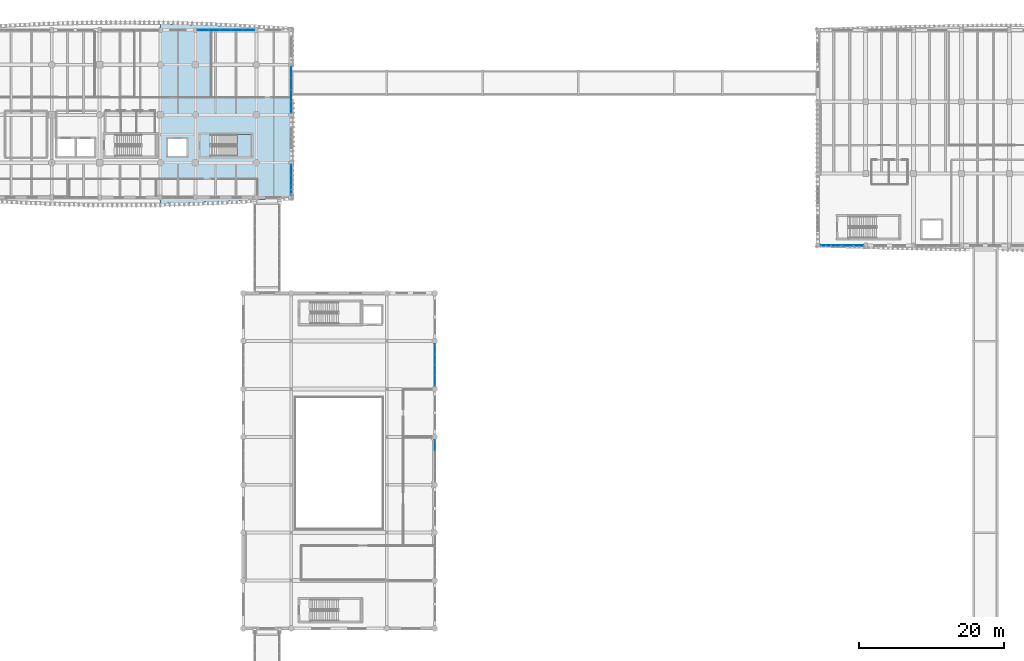
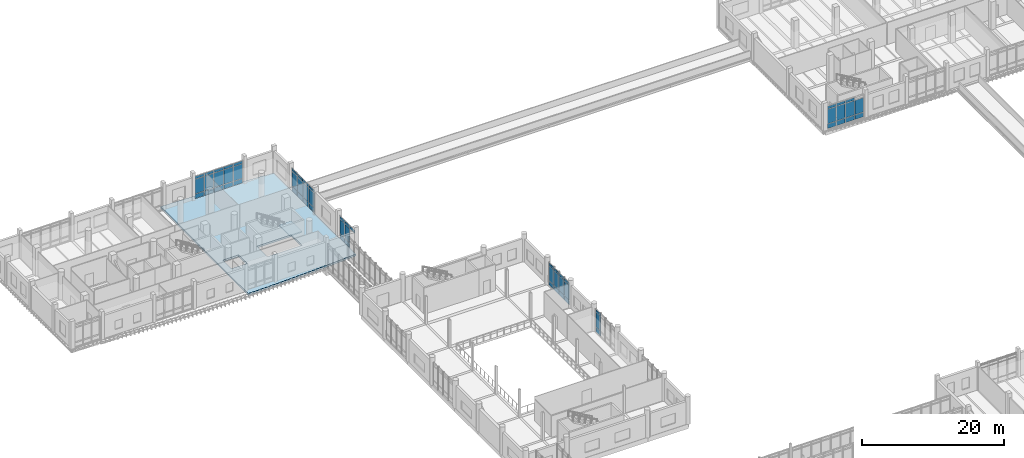
# One storey, part 53 of 101: 60 plates, 2 slabs, 7 elements without a shape of their own.
"""IFC4 building model written with IfcOpenShell, lengths in metres."""

from ifc_helpers import new_model, si_unit, direction, frame, origin, origin_2d, place, context, subcontext, project, spatial, polyline, rectangle, outline, extrude, material, layer, layer_set, type_object, element, aggregate, save


model = new_model("IFC4")

# Units and contexts
model_context = context("Model", 3, precision=1e-05, world=origin(), true_north=direction((0.0, 1.0)))
body_context = subcontext(model_context, "Body", "Model", "MODEL_VIEW")
ifc_project = project(units=[si_unit("LENGTHUNIT", "METRE"), si_unit("AREAUNIT", "SQUARE_METRE"), si_unit("VOLUMEUNIT", "CUBIC_METRE"), si_unit("PLANEANGLEUNIT", "RADIAN"), si_unit("MASSUNIT", "GRAM", prefix="KILO")], contexts=[model_context])

# Site, building, storey
site_placement = place(None, origin())
site = spatial("IfcSite", under=ifc_project, at=site_placement, CompositionType="ELEMENT")
building_placement = place(site_placement, origin())
building = spatial("IfcBuilding", under=site, at=building_placement, Name="Dornvale Research Institute", CompositionType="ELEMENT")
storey_placement = place(building_placement, frame((0.0, 0.0, 10.199951171875)))
storey = spatial("IfcBuildingStorey", under=building, at=storey_placement, Name="L02", CompositionType="ELEMENT", Elevation=10.199951171875)

# Curtain wall, plates
ifc_material_1 = material(Name="Low-E Argon Double Insulating Glazing Unit", Category="glass")
curtain_wall_type_1 = type_object("IfcCurtainWallType", Name="UnitisedCurtainWall_V2_5810x3950", PredefinedType="USERDEFINED", material=ifc_material_1)
curtain_wall_1_placement = place(storey_placement, origin())
curtain_wall_1 = element("IfcCurtainWall", 1, at=curtain_wall_1_placement, inside=storey, type_object=curtain_wall_type_1, Name="L02 V2 unitised curtain wall CW-02 #12", ObjectType="UNITISED CURTAIN WALL", PredefinedType="USERDEFINED")
ifc_material_2 = material(Name="Insulated Ceramic-Frit Spandrel Glass Panel", Category="glass")
ifc_layer_1 = layer(ifc_material_2, 0.0419921875)
ifc_layer_set_1 = layer_set([ifc_layer_1], Name="Insulated Ceramic-Frit Spandrel Glass Panel")
plate_type_1 = type_object("IfcPlateType", Name="CurtainPanel_Spandrel_42", PredefinedType="CURTAIN_PANEL", material=ifc_layer_set_1)
plate_1_placement = place(storey_placement, frame((66.0, 78.0625, 0.065185546875), z_axis=(0.0, 0.0, 1.0), x_axis=(0.0, -1.0, 0.0)))
plate_1 = element("IfcPlate", 2, at=plate_1_placement, type_object=plate_type_1, Name="CW-02 panel 1.1", PredefinedType="CURTAIN_PANEL", context=body_context, shape_type="SweptSolid", body=[
    extrude(rectangle(XDim=1.35498046875, YDim=0.0419921875, at=origin_2d()), origin(), (0.0, 0.0, 1.0), 0.75244140625),
])
plate_2_placement = place(storey_placement, frame((66.0, 76.626220703125, 0.065185546875), z_axis=(0.0, 0.0, 1.0), x_axis=(0.0, -1.0, 0.0)))
plate_2 = element("IfcPlate", 3, at=plate_2_placement, type_object=plate_type_1, Name="CW-02 panel 2.1", PredefinedType="CURTAIN_PANEL", context=body_context, shape_type="SweptSolid", body=[
    extrude(rectangle(XDim=1.387451171875, YDim=0.0419921875, at=origin_2d()), origin(), (0.0, 0.0, 1.0), 0.75244140625),
])
plate_3_placement = place(storey_placement, frame((66.0, 75.173828125, 0.065185546875), z_axis=(0.0, 0.0, 1.0), x_axis=(0.0, -1.0, 0.0)))
plate_3 = element("IfcPlate", 4, at=plate_3_placement, type_object=plate_type_1, Name="CW-02 panel 3.1", PredefinedType="CURTAIN_PANEL", context=body_context, shape_type="SweptSolid", body=[
    extrude(rectangle(XDim=1.387451171875, YDim=0.0419921875, at=origin_2d()), origin(), (0.0, 0.0, 1.0), 0.75244140625),
])
plate_4_placement = place(storey_placement, frame((66.0, 73.737548828125, 0.065185546875), z_axis=(0.0, 0.0, 1.0), x_axis=(0.0, -1.0, 0.0)))
plate_4 = element("IfcPlate", 5, at=plate_4_placement, type_object=plate_type_1, Name="CW-02 panel 4.1", PredefinedType="CURTAIN_PANEL", context=body_context, shape_type="SweptSolid", body=[
    extrude(rectangle(XDim=1.35498046875, YDim=0.0419921875, at=origin_2d()), origin(), (0.0, 0.0, 1.0), 0.75244140625),
])

# Curtain wall, plate
curtain_wall_2_placement = place(storey_placement, origin())
curtain_wall_2 = element("IfcCurtainWall", 6, at=curtain_wall_2_placement, inside=storey, type_object=curtain_wall_type_1, Name="L02 V2 unitised curtain wall CW-02 #13", ObjectType="UNITISED CURTAIN WALL", PredefinedType="USERDEFINED")
plate_5_placement = place(storey_placement, frame((66.0, 64.862548828125, 0.065185546875), z_axis=(0.0, 0.0, 1.0), x_axis=(0.0, -1.0, 0.0)))
plate_5 = element("IfcPlate", 7, at=plate_5_placement, type_object=plate_type_1, Name="CW-02 panel 1.1", PredefinedType="CURTAIN_PANEL", context=body_context, shape_type="SweptSolid", body=[
    extrude(rectangle(XDim=1.35498046875, YDim=0.0419921875, at=origin_2d()), origin(), (0.0, 0.0, 1.0), 0.75244140625),
])

# Curtain wall, plates
ifc_material_3 = material(Name="Low-E Argon Double Insulating Glazing Unit", Category="glass")
curtain_wall_type_2 = type_object("IfcCurtainWallType", Name="UnitisedCurtainWall_V4_6000x3950", PredefinedType="USERDEFINED", material=ifc_material_3)
curtain_wall_3_placement = place(storey_placement, origin())
curtain_wall_3 = element("IfcCurtainWall", 8, at=curtain_wall_3_placement, inside=storey, type_object=curtain_wall_type_2, Name="L02 V4 unitised curtain wall CW-14 #90", ObjectType="UNITISED CURTAIN WALL", PredefinedType="USERDEFINED")
plate_6_placement = place(storey_placement, frame((124.3837890625, 92.39990234375, 0.065185546875), z_axis=(0.0, 0.0, 1.0), x_axis=(-1.0, 0.0, 0.0)))
plate_6 = element("IfcPlate", 9, at=plate_6_placement, type_object=plate_type_1, Name="CW-14 panel 1.1", PredefinedType="CURTAIN_PANEL", context=body_context, shape_type="SweptSolid", body=[
    extrude(rectangle(XDim=1.402587890625, YDim=0.0419921875, at=origin_2d()), origin(), (0.0, 0.0, 1.0), 0.75244140625),
])
plate_7_placement = place(storey_placement, frame((122.89990234375, 92.39990234375, 0.065185546875), z_axis=(0.0, 0.0, 1.0), x_axis=(-1.0, 0.0, 0.0)))
plate_7 = element("IfcPlate", 10, at=plate_7_placement, type_object=plate_type_1, Name="CW-14 panel 2.1", PredefinedType="CURTAIN_PANEL", context=body_context, shape_type="SweptSolid", body=[
    extrude(rectangle(XDim=1.43505859375, YDim=0.0419921875, at=origin_2d()), origin(), (0.0, 0.0, 1.0), 0.75244140625),
])
plate_8_placement = place(storey_placement, frame((121.39990234375, 92.39990234375, 0.065185546875), z_axis=(0.0, 0.0, 1.0), x_axis=(-1.0, 0.0, 0.0)))
plate_8 = element("IfcPlate", 11, at=plate_8_placement, type_object=plate_type_1, Name="CW-14 panel 3.1", PredefinedType="CURTAIN_PANEL", context=body_context, shape_type="SweptSolid", body=[
    extrude(rectangle(XDim=1.43505859375, YDim=0.0419921875, at=origin_2d()), origin(), (0.0, 0.0, 1.0), 0.75244140625),
])
plate_9_placement = place(storey_placement, frame((119.916259765625, 92.39990234375, 0.065185546875), z_axis=(0.0, 0.0, 1.0), x_axis=(-1.0, 0.0, 0.0)))
plate_9 = element("IfcPlate", 12, at=plate_9_placement, type_object=plate_type_1, Name="CW-14 panel 4.1", PredefinedType="CURTAIN_PANEL", context=body_context, shape_type="SweptSolid", body=[
    extrude(rectangle(XDim=1.402587890625, YDim=0.0419921875, at=origin_2d()), origin(), (0.0, 0.0, 1.0), 0.75244140625),
])

ifc_material_4 = material(Name="Low-E Argon Double Insulating Glazing Unit", Category="glass")
curtain_wall_type_3 = type_object("IfcCurtainWallType", Name="UnitisedCurtainWall_V5_7900x3950", PredefinedType="USERDEFINED", material=ifc_material_4)
curtain_wall_4_placement = place(storey_placement, origin())
curtain_wall_4 = element("IfcCurtainWall", 13, at=curtain_wall_4_placement, inside=storey, type_object=curtain_wall_type_3, Name="L02 V5 unitised curtain wall CW-24 #142", ObjectType="UNITISED CURTAIN WALL", PredefinedType="USERDEFINED")
plate_10_placement = place(storey_placement, frame((34.05615234375, 122.10009765625, 0.065185546875), z_axis=(0.0, 0.0, 1.0), x_axis=(1.0, 0.0, 0.0)))
plate_10 = element("IfcPlate", 14, at=plate_10_placement, type_object=plate_type_1, Name="CW-24 panel 1.1", PredefinedType="CURTAIN_PANEL", context=body_context, shape_type="SweptSolid", body=[
    extrude(rectangle(XDim=1.482421875, YDim=0.0419921875, at=origin_2d()), origin(), (0.0, 0.0, 1.0), 0.75244140625),
])
plate_11_placement = place(storey_placement, frame((35.6201171875, 122.10009765625, 0.065185546875), z_axis=(0.0, 0.0, 1.0), x_axis=(1.0, 0.0, 0.0)))
plate_11 = element("IfcPlate", 15, at=plate_11_placement, type_object=plate_type_1, Name="CW-24 panel 2.1", PredefinedType="CURTAIN_PANEL", context=body_context, shape_type="SweptSolid", body=[
    extrude(rectangle(XDim=1.514892578125, YDim=0.0419921875, at=origin_2d()), origin(), (0.0, 0.0, 1.0), 0.75244140625),
])
plate_12_placement = place(storey_placement, frame((37.199951171875, 122.10009765625, 0.065185546875), z_axis=(0.0, 0.0, 1.0), x_axis=(1.0, 0.0, 0.0)))
plate_12 = element("IfcPlate", 16, at=plate_12_placement, type_object=plate_type_1, Name="CW-24 panel 3.1", PredefinedType="CURTAIN_PANEL", context=body_context, shape_type="SweptSolid", body=[
    extrude(rectangle(XDim=1.514892578125, YDim=0.0419921875, at=origin_2d()), origin(), (0.0, 0.0, 1.0), 0.75244140625),
])
plate_13_placement = place(storey_placement, frame((38.780029296875, 122.10009765625, 0.065185546875), z_axis=(0.0, 0.0, 1.0), x_axis=(1.0, 0.0, 0.0)))
plate_13 = element("IfcPlate", 17, at=plate_13_placement, type_object=plate_type_1, Name="CW-24 panel 4.1", PredefinedType="CURTAIN_PANEL", context=body_context, shape_type="SweptSolid", body=[
    extrude(rectangle(XDim=1.514892578125, YDim=0.0419921875, at=origin_2d()), origin(), (0.0, 0.0, 1.0), 0.75244140625),
])
plate_14_placement = place(storey_placement, frame((40.34375, 122.10009765625, 0.065185546875), z_axis=(0.0, 0.0, 1.0), x_axis=(1.0, 0.0, 0.0)))
plate_14 = element("IfcPlate", 18, at=plate_14_placement, type_object=plate_type_1, Name="CW-24 panel 5.1", PredefinedType="CURTAIN_PANEL", context=body_context, shape_type="SweptSolid", body=[
    extrude(rectangle(XDim=1.482421875, YDim=0.0419921875, at=origin_2d()), origin(), (0.0, 0.0, 1.0), 0.75244140625),
])

ifc_material_5 = material(Name="Low-E Argon Double Insulating Glazing Unit", Category="glass")
curtain_wall_type_4 = type_object("IfcCurtainWallType", Name="UnitisedCurtainWall_V5_6400x3950", PredefinedType="USERDEFINED", material=ifc_material_5)
curtain_wall_5_placement = place(storey_placement, origin())
curtain_wall_5 = element("IfcCurtainWall", 19, at=curtain_wall_5_placement, inside=storey, type_object=curtain_wall_type_4, Name="L02 V5 unitised curtain wall CW-28 #143", ObjectType="UNITISED CURTAIN WALL", PredefinedType="USERDEFINED")
plate_15_placement = place(storey_placement, frame((46.199951171875, 116.233642578125, 0.065185546875), z_axis=(0.0, 0.0, 1.0), x_axis=(0.0, -1.0, 0.0)))
plate_15 = element("IfcPlate", 20, at=plate_15_placement, type_object=plate_type_1, Name="CW-28 panel 1.1", PredefinedType="CURTAIN_PANEL", context=body_context, shape_type="SweptSolid", body=[
    extrude(rectangle(XDim=1.50244140625, YDim=0.0419921875, at=origin_2d()), origin(), (0.0, 0.0, 1.0), 0.75244140625),
])
plate_16_placement = place(storey_placement, frame((46.199951171875, 114.64990234375, 0.065185546875), z_axis=(0.0, 0.0, 1.0), x_axis=(0.0, -1.0, 0.0)))
plate_16 = element("IfcPlate", 21, at=plate_16_placement, type_object=plate_type_1, Name="CW-28 panel 2.1", PredefinedType="CURTAIN_PANEL", context=body_context, shape_type="SweptSolid", body=[
    extrude(rectangle(XDim=1.534912109375, YDim=0.0419921875, at=origin_2d()), origin(), (0.0, 0.0, 1.0), 0.75244140625),
])
plate_17_placement = place(storey_placement, frame((46.199951171875, 113.050048828125, 0.065185546875), z_axis=(0.0, 0.0, 1.0), x_axis=(0.0, -1.0, 0.0)))
plate_17 = element("IfcPlate", 22, at=plate_17_placement, type_object=plate_type_1, Name="CW-28 panel 3.1", PredefinedType="CURTAIN_PANEL", context=body_context, shape_type="SweptSolid", body=[
    extrude(rectangle(XDim=1.534912109375, YDim=0.0419921875, at=origin_2d()), origin(), (0.0, 0.0, 1.0), 0.75244140625),
])
plate_18_placement = place(storey_placement, frame((46.199951171875, 111.46630859375, 0.065185546875), z_axis=(0.0, 0.0, 1.0), x_axis=(0.0, -1.0, 0.0)))
plate_18 = element("IfcPlate", 23, at=plate_18_placement, type_object=plate_type_1, Name="CW-28 panel 4.1", PredefinedType="CURTAIN_PANEL", context=body_context, shape_type="SweptSolid", body=[
    extrude(rectangle(XDim=1.50244140625, YDim=0.0419921875, at=origin_2d()), origin(), (0.0, 0.0, 1.0), 0.75244140625),
])

ifc_material_6 = material(Name="Low-E Argon Double Insulating Glazing Unit", Category="glass")
curtain_wall_type_5 = type_object("IfcCurtainWallType", Name="UnitisedCurtainWall_V5_4300x3950", PredefinedType="USERDEFINED", material=ifc_material_6)
curtain_wall_6_placement = place(storey_placement, origin())
curtain_wall_6 = element("IfcCurtainWall", 24, at=curtain_wall_6_placement, inside=storey, type_object=curtain_wall_type_5, Name="L02 V5 unitised curtain wall CW-25 #144", ObjectType="UNITISED CURTAIN WALL", PredefinedType="USERDEFINED")
plate_19_placement = place(storey_placement, frame((46.199951171875, 102.817138671875, 0.065185546875), z_axis=(0.0, 0.0, 1.0), x_axis=(0.0, -1.0, 0.0)))
plate_19 = element("IfcPlate", 25, at=plate_19_placement, type_object=plate_type_1, Name="CW-25 panel 1.1", PredefinedType="CURTAIN_PANEL", context=body_context, shape_type="SweptSolid", body=[
    extrude(rectangle(XDim=1.3359375, YDim=0.0419921875, at=origin_2d()), origin(), (0.0, 0.0, 1.0), 0.75244140625),
])
plate_20_placement = place(storey_placement, frame((46.199951171875, 101.39990234375, 0.065185546875), z_axis=(0.0, 0.0, 1.0), x_axis=(0.0, -1.0, 0.0)))
plate_20 = element("IfcPlate", 26, at=plate_20_placement, type_object=plate_type_1, Name="CW-25 panel 2.1", PredefinedType="CURTAIN_PANEL", context=body_context, shape_type="SweptSolid", body=[
    extrude(rectangle(XDim=1.368408203125, YDim=0.0419921875, at=origin_2d()), origin(), (0.0, 0.0, 1.0), 0.75244140625),
])

# Plate
ifc_material_7 = material(Name="Low-E Argon Double Insulating Glazing Unit", Category="glass")
ifc_layer_2 = layer(ifc_material_7, 0.028076171875)
ifc_layer_set_2 = layer_set([ifc_layer_2], Name="Low-E Argon Double Insulating Glazing Unit")
plate_type_2 = type_object("IfcPlateType", Name="CurtainPanel_Vision_28", PredefinedType="CURTAIN_PANEL", material=ifc_layer_set_2)
plate_21_placement = place(storey_placement, frame((66.0, 78.0625, 0.88232421875), z_axis=(0.0, 0.0, 1.0), x_axis=(0.0, -1.0, 0.0)))
plate_21 = element("IfcPlate", 27, at=plate_21_placement, type_object=plate_type_2, Name="CW-02 panel 1.2", PredefinedType="CURTAIN_PANEL", context=body_context, shape_type="SweptSolid", body=[
    extrude(rectangle(XDim=1.35498046875, YDim=0.028076171875, at=origin_2d()), origin(), (0.0, 0.0, 1.0), 2.485107421875),
])

plate_22_placement = place(storey_placement, frame((66.0, 78.0625, 3.4326171875), z_axis=(0.0, 0.0, 1.0), x_axis=(0.0, -1.0, 0.0)))
plate_22 = element("IfcPlate", 28, at=plate_22_placement, type_object=plate_type_2, Name="CW-02 panel 1.3", PredefinedType="CURTAIN_PANEL", context=body_context, shape_type="SweptSolid", body=[
    extrude(rectangle(XDim=1.35498046875, YDim=0.028076171875, at=origin_2d()), origin(), (0.0, 0.0, 1.0), 0.452392578125),
])

plate_23_placement = place(storey_placement, frame((66.0, 76.626220703125, 0.88232421875), z_axis=(0.0, 0.0, 1.0), x_axis=(0.0, -1.0, 0.0)))
plate_23 = element("IfcPlate", 29, at=plate_23_placement, type_object=plate_type_2, Name="CW-02 panel 2.2", PredefinedType="CURTAIN_PANEL", context=body_context, shape_type="SweptSolid", body=[
    extrude(rectangle(XDim=1.387451171875, YDim=0.028076171875, at=origin_2d()), origin(), (0.0, 0.0, 1.0), 2.485107421875),
])

plate_24_placement = place(storey_placement, frame((66.0, 76.626220703125, 3.4326171875), z_axis=(0.0, 0.0, 1.0), x_axis=(0.0, -1.0, 0.0)))
plate_24 = element("IfcPlate", 30, at=plate_24_placement, type_object=plate_type_2, Name="CW-02 panel 2.3", PredefinedType="CURTAIN_PANEL", context=body_context, shape_type="SweptSolid", body=[
    extrude(rectangle(XDim=1.387451171875, YDim=0.028076171875, at=origin_2d()), origin(), (0.0, 0.0, 1.0), 0.452392578125),
])

plate_25_placement = place(storey_placement, frame((66.0, 75.173828125, 0.88232421875), z_axis=(0.0, 0.0, 1.0), x_axis=(0.0, -1.0, 0.0)))
plate_25 = element("IfcPlate", 31, at=plate_25_placement, type_object=plate_type_2, Name="CW-02 panel 3.2", PredefinedType="CURTAIN_PANEL", context=body_context, shape_type="SweptSolid", body=[
    extrude(rectangle(XDim=1.387451171875, YDim=0.028076171875, at=origin_2d()), origin(), (0.0, 0.0, 1.0), 2.485107421875),
])

plate_26_placement = place(storey_placement, frame((66.0, 75.173828125, 3.4326171875), z_axis=(0.0, 0.0, 1.0), x_axis=(0.0, -1.0, 0.0)))
plate_26 = element("IfcPlate", 32, at=plate_26_placement, type_object=plate_type_2, Name="CW-02 panel 3.3", PredefinedType="CURTAIN_PANEL", context=body_context, shape_type="SweptSolid", body=[
    extrude(rectangle(XDim=1.387451171875, YDim=0.028076171875, at=origin_2d()), origin(), (0.0, 0.0, 1.0), 0.452392578125),
])

plate_27_placement = place(storey_placement, frame((66.0, 73.737548828125, 0.88232421875), z_axis=(0.0, 0.0, 1.0), x_axis=(0.0, -1.0, 0.0)))
plate_27 = element("IfcPlate", 33, at=plate_27_placement, type_object=plate_type_2, Name="CW-02 panel 4.2", PredefinedType="CURTAIN_PANEL", context=body_context, shape_type="SweptSolid", body=[
    extrude(rectangle(XDim=1.35498046875, YDim=0.028076171875, at=origin_2d()), origin(), (0.0, 0.0, 1.0), 2.485107421875),
])

plate_28_placement = place(storey_placement, frame((66.0, 73.737548828125, 3.4326171875), z_axis=(0.0, 0.0, 1.0), x_axis=(0.0, -1.0, 0.0)))
plate_28 = element("IfcPlate", 34, at=plate_28_placement, type_object=plate_type_2, Name="CW-02 panel 4.3", PredefinedType="CURTAIN_PANEL", context=body_context, shape_type="SweptSolid", body=[
    extrude(rectangle(XDim=1.35498046875, YDim=0.028076171875, at=origin_2d()), origin(), (0.0, 0.0, 1.0), 0.452392578125),
])

aggregate(curtain_wall_1, [plate_1, plate_21, plate_22, plate_2, plate_23, plate_24, plate_3, plate_25, plate_26, plate_4, plate_27, plate_28])

plate_29_placement = place(storey_placement, frame((66.0, 64.862548828125, 0.88232421875), z_axis=(0.0, 0.0, 1.0), x_axis=(0.0, -1.0, 0.0)))
plate_29 = element("IfcPlate", 35, at=plate_29_placement, type_object=plate_type_2, Name="CW-02 panel 1.2", PredefinedType="CURTAIN_PANEL", context=body_context, shape_type="SweptSolid", body=[
    extrude(rectangle(XDim=1.35498046875, YDim=0.028076171875, at=origin_2d()), origin(), (0.0, 0.0, 1.0), 2.485107421875),
])

plate_30_placement = place(storey_placement, frame((66.0, 64.862548828125, 3.4326171875), z_axis=(0.0, 0.0, 1.0), x_axis=(0.0, -1.0, 0.0)))
plate_30 = element("IfcPlate", 36, at=plate_30_placement, type_object=plate_type_2, Name="CW-02 panel 1.3", PredefinedType="CURTAIN_PANEL", context=body_context, shape_type="SweptSolid", body=[
    extrude(rectangle(XDim=1.35498046875, YDim=0.028076171875, at=origin_2d()), origin(), (0.0, 0.0, 1.0), 0.452392578125),
])

aggregate(curtain_wall_2, [plate_5, plate_29, plate_30])

plate_31_placement = place(storey_placement, frame((124.3837890625, 92.39990234375, 0.88232421875), z_axis=(0.0, 0.0, 1.0), x_axis=(-1.0, 0.0, 0.0)))
plate_31 = element("IfcPlate", 37, at=plate_31_placement, type_object=plate_type_2, Name="CW-14 panel 1.2", PredefinedType="CURTAIN_PANEL", context=body_context, shape_type="SweptSolid", body=[
    extrude(rectangle(XDim=1.402587890625, YDim=0.028076171875, at=origin_2d()), origin(), (0.0, 0.0, 1.0), 2.485107421875),
])

plate_32_placement = place(storey_placement, frame((122.89990234375, 92.39990234375, 0.88232421875), z_axis=(0.0, 0.0, 1.0), x_axis=(-1.0, 0.0, 0.0)))
plate_32 = element("IfcPlate", 38, at=plate_32_placement, type_object=plate_type_2, Name="CW-14 panel 2.2", PredefinedType="CURTAIN_PANEL", context=body_context, shape_type="SweptSolid", body=[
    extrude(rectangle(XDim=1.43505859375, YDim=0.028076171875, at=origin_2d()), origin(), (0.0, 0.0, 1.0), 2.485107421875),
])

plate_33_placement = place(storey_placement, frame((122.89990234375, 92.39990234375, 3.4326171875), z_axis=(0.0, 0.0, 1.0), x_axis=(-1.0, 0.0, 0.0)))
plate_33 = element("IfcPlate", 39, at=plate_33_placement, type_object=plate_type_2, Name="CW-14 panel 2.3", PredefinedType="CURTAIN_PANEL", context=body_context, shape_type="SweptSolid", body=[
    extrude(rectangle(XDim=1.43505859375, YDim=0.028076171875, at=origin_2d()), origin(), (0.0, 0.0, 1.0), 0.452392578125),
])

plate_34_placement = place(storey_placement, frame((121.39990234375, 92.39990234375, 0.88232421875), z_axis=(0.0, 0.0, 1.0), x_axis=(-1.0, 0.0, 0.0)))
plate_34 = element("IfcPlate", 40, at=plate_34_placement, type_object=plate_type_2, Name="CW-14 panel 3.2", PredefinedType="CURTAIN_PANEL", context=body_context, shape_type="SweptSolid", body=[
    extrude(rectangle(XDim=1.43505859375, YDim=0.028076171875, at=origin_2d()), origin(), (0.0, 0.0, 1.0), 2.485107421875),
])

plate_35_placement = place(storey_placement, frame((121.39990234375, 92.39990234375, 3.4326171875), z_axis=(0.0, 0.0, 1.0), x_axis=(-1.0, 0.0, 0.0)))
plate_35 = element("IfcPlate", 41, at=plate_35_placement, type_object=plate_type_2, Name="CW-14 panel 3.3", PredefinedType="CURTAIN_PANEL", context=body_context, shape_type="SweptSolid", body=[
    extrude(rectangle(XDim=1.43505859375, YDim=0.028076171875, at=origin_2d()), origin(), (0.0, 0.0, 1.0), 0.452392578125),
])

plate_36_placement = place(storey_placement, frame((119.916259765625, 92.39990234375, 0.88232421875), z_axis=(0.0, 0.0, 1.0), x_axis=(-1.0, 0.0, 0.0)))
plate_36 = element("IfcPlate", 42, at=plate_36_placement, type_object=plate_type_2, Name="CW-14 panel 4.2", PredefinedType="CURTAIN_PANEL", context=body_context, shape_type="SweptSolid", body=[
    extrude(rectangle(XDim=1.402587890625, YDim=0.028076171875, at=origin_2d()), origin(), (0.0, 0.0, 1.0), 2.485107421875),
])

plate_37_placement = place(storey_placement, frame((119.916259765625, 92.39990234375, 3.4326171875), z_axis=(0.0, 0.0, 1.0), x_axis=(-1.0, 0.0, 0.0)))
plate_37 = element("IfcPlate", 43, at=plate_37_placement, type_object=plate_type_2, Name="CW-14 panel 4.3", PredefinedType="CURTAIN_PANEL", context=body_context, shape_type="SweptSolid", body=[
    extrude(rectangle(XDim=1.402587890625, YDim=0.028076171875, at=origin_2d()), origin(), (0.0, 0.0, 1.0), 0.452392578125),
])

aggregate(curtain_wall_3, [plate_6, plate_31, plate_7, plate_32, plate_33, plate_8, plate_34, plate_35, plate_9, plate_36, plate_37])

plate_38_placement = place(storey_placement, frame((34.05615234375, 122.10009765625, 0.88232421875), z_axis=(0.0, 0.0, 1.0), x_axis=(1.0, 0.0, 0.0)))
plate_38 = element("IfcPlate", 44, at=plate_38_placement, type_object=plate_type_2, Name="CW-24 panel 1.2", PredefinedType="CURTAIN_PANEL", context=body_context, shape_type="SweptSolid", body=[
    extrude(rectangle(XDim=1.482421875, YDim=0.028076171875, at=origin_2d()), origin(), (0.0, 0.0, 1.0), 2.485107421875),
])

plate_39_placement = place(storey_placement, frame((34.05615234375, 122.10009765625, 3.4326171875), z_axis=(0.0, 0.0, 1.0), x_axis=(1.0, 0.0, 0.0)))
plate_39 = element("IfcPlate", 45, at=plate_39_placement, type_object=plate_type_2, Name="CW-24 panel 1.3", PredefinedType="CURTAIN_PANEL", context=body_context, shape_type="SweptSolid", body=[
    extrude(rectangle(XDim=1.482421875, YDim=0.028076171875, at=origin_2d()), origin(), (0.0, 0.0, 1.0), 0.452392578125),
])

plate_40_placement = place(storey_placement, frame((35.6201171875, 122.10009765625, 0.88232421875), z_axis=(0.0, 0.0, 1.0), x_axis=(1.0, 0.0, 0.0)))
plate_40 = element("IfcPlate", 46, at=plate_40_placement, type_object=plate_type_2, Name="CW-24 panel 2.2", PredefinedType="CURTAIN_PANEL", context=body_context, shape_type="SweptSolid", body=[
    extrude(rectangle(XDim=1.514892578125, YDim=0.028076171875, at=origin_2d()), origin(), (0.0, 0.0, 1.0), 2.485107421875),
])

plate_41_placement = place(storey_placement, frame((35.6201171875, 122.10009765625, 3.4326171875), z_axis=(0.0, 0.0, 1.0), x_axis=(1.0, 0.0, 0.0)))
plate_41 = element("IfcPlate", 47, at=plate_41_placement, type_object=plate_type_2, Name="CW-24 panel 2.3", PredefinedType="CURTAIN_PANEL", context=body_context, shape_type="SweptSolid", body=[
    extrude(rectangle(XDim=1.514892578125, YDim=0.028076171875, at=origin_2d()), origin(), (0.0, 0.0, 1.0), 0.452392578125),
])

plate_42_placement = place(storey_placement, frame((37.199951171875, 122.10009765625, 0.88232421875), z_axis=(0.0, 0.0, 1.0), x_axis=(1.0, 0.0, 0.0)))
plate_42 = element("IfcPlate", 48, at=plate_42_placement, type_object=plate_type_2, Name="CW-24 panel 3.2", PredefinedType="CURTAIN_PANEL", context=body_context, shape_type="SweptSolid", body=[
    extrude(rectangle(XDim=1.514892578125, YDim=0.028076171875, at=origin_2d()), origin(), (0.0, 0.0, 1.0), 2.485107421875),
])

plate_43_placement = place(storey_placement, frame((37.199951171875, 122.10009765625, 3.4326171875), z_axis=(0.0, 0.0, 1.0), x_axis=(1.0, 0.0, 0.0)))
plate_43 = element("IfcPlate", 49, at=plate_43_placement, type_object=plate_type_2, Name="CW-24 panel 3.3", PredefinedType="CURTAIN_PANEL", context=body_context, shape_type="SweptSolid", body=[
    extrude(rectangle(XDim=1.514892578125, YDim=0.028076171875, at=origin_2d()), origin(), (0.0, 0.0, 1.0), 0.452392578125),
])

plate_44_placement = place(storey_placement, frame((38.780029296875, 122.10009765625, 0.88232421875), z_axis=(0.0, 0.0, 1.0), x_axis=(1.0, 0.0, 0.0)))
plate_44 = element("IfcPlate", 50, at=plate_44_placement, type_object=plate_type_2, Name="CW-24 panel 4.2", PredefinedType="CURTAIN_PANEL", context=body_context, shape_type="SweptSolid", body=[
    extrude(rectangle(XDim=1.514892578125, YDim=0.028076171875, at=origin_2d()), origin(), (0.0, 0.0, 1.0), 2.485107421875),
])

plate_45_placement = place(storey_placement, frame((38.780029296875, 122.10009765625, 3.4326171875), z_axis=(0.0, 0.0, 1.0), x_axis=(1.0, 0.0, 0.0)))
plate_45 = element("IfcPlate", 51, at=plate_45_placement, type_object=plate_type_2, Name="CW-24 panel 4.3", PredefinedType="CURTAIN_PANEL", context=body_context, shape_type="SweptSolid", body=[
    extrude(rectangle(XDim=1.514892578125, YDim=0.028076171875, at=origin_2d()), origin(), (0.0, 0.0, 1.0), 0.452392578125),
])

plate_46_placement = place(storey_placement, frame((40.34375, 122.10009765625, 0.88232421875), z_axis=(0.0, 0.0, 1.0), x_axis=(1.0, 0.0, 0.0)))
plate_46 = element("IfcPlate", 52, at=plate_46_placement, type_object=plate_type_2, Name="CW-24 panel 5.2", PredefinedType="CURTAIN_PANEL", context=body_context, shape_type="SweptSolid", body=[
    extrude(rectangle(XDim=1.482421875, YDim=0.028076171875, at=origin_2d()), origin(), (0.0, 0.0, 1.0), 2.485107421875),
])

plate_47_placement = place(storey_placement, frame((40.34375, 122.10009765625, 3.4326171875), z_axis=(0.0, 0.0, 1.0), x_axis=(1.0, 0.0, 0.0)))
plate_47 = element("IfcPlate", 53, at=plate_47_placement, type_object=plate_type_2, Name="CW-24 panel 5.3", PredefinedType="CURTAIN_PANEL", context=body_context, shape_type="SweptSolid", body=[
    extrude(rectangle(XDim=1.482421875, YDim=0.028076171875, at=origin_2d()), origin(), (0.0, 0.0, 1.0), 0.452392578125),
])

aggregate(curtain_wall_4, [plate_10, plate_38, plate_39, plate_11, plate_40, plate_41, plate_12, plate_42, plate_43, plate_13, plate_44, plate_45, plate_14, plate_46, plate_47])

plate_48_placement = place(storey_placement, frame((46.199951171875, 116.233642578125, 0.88232421875), z_axis=(0.0, 0.0, 1.0), x_axis=(0.0, -1.0, 0.0)))
plate_48 = element("IfcPlate", 54, at=plate_48_placement, type_object=plate_type_2, Name="CW-28 panel 1.2", PredefinedType="CURTAIN_PANEL", context=body_context, shape_type="SweptSolid", body=[
    extrude(rectangle(XDim=1.50244140625, YDim=0.028076171875, at=origin_2d()), origin(), (0.0, 0.0, 1.0), 2.485107421875),
])

plate_49_placement = place(storey_placement, frame((46.199951171875, 116.233642578125, 3.4326171875), z_axis=(0.0, 0.0, 1.0), x_axis=(0.0, -1.0, 0.0)))
plate_49 = element("IfcPlate", 55, at=plate_49_placement, type_object=plate_type_2, Name="CW-28 panel 1.3", PredefinedType="CURTAIN_PANEL", context=body_context, shape_type="SweptSolid", body=[
    extrude(rectangle(XDim=1.50244140625, YDim=0.028076171875, at=origin_2d()), origin(), (0.0, 0.0, 1.0), 0.452392578125),
])

plate_50_placement = place(storey_placement, frame((46.199951171875, 114.64990234375, 0.88232421875), z_axis=(0.0, 0.0, 1.0), x_axis=(0.0, -1.0, 0.0)))
plate_50 = element("IfcPlate", 56, at=plate_50_placement, type_object=plate_type_2, Name="CW-28 panel 2.2", PredefinedType="CURTAIN_PANEL", context=body_context, shape_type="SweptSolid", body=[
    extrude(rectangle(XDim=1.534912109375, YDim=0.028076171875, at=origin_2d()), origin(), (0.0, 0.0, 1.0), 2.485107421875),
])

plate_51_placement = place(storey_placement, frame((46.199951171875, 114.64990234375, 3.4326171875), z_axis=(0.0, 0.0, 1.0), x_axis=(0.0, -1.0, 0.0)))
plate_51 = element("IfcPlate", 57, at=plate_51_placement, type_object=plate_type_2, Name="CW-28 panel 2.3", PredefinedType="CURTAIN_PANEL", context=body_context, shape_type="SweptSolid", body=[
    extrude(rectangle(XDim=1.534912109375, YDim=0.028076171875, at=origin_2d()), origin(), (0.0, 0.0, 1.0), 0.452392578125),
])

plate_52_placement = place(storey_placement, frame((46.199951171875, 113.050048828125, 0.88232421875), z_axis=(0.0, 0.0, 1.0), x_axis=(0.0, -1.0, 0.0)))
plate_52 = element("IfcPlate", 58, at=plate_52_placement, type_object=plate_type_2, Name="CW-28 panel 3.2", PredefinedType="CURTAIN_PANEL", context=body_context, shape_type="SweptSolid", body=[
    extrude(rectangle(XDim=1.534912109375, YDim=0.028076171875, at=origin_2d()), origin(), (0.0, 0.0, 1.0), 2.485107421875),
])

plate_53_placement = place(storey_placement, frame((46.199951171875, 113.050048828125, 3.4326171875), z_axis=(0.0, 0.0, 1.0), x_axis=(0.0, -1.0, 0.0)))
plate_53 = element("IfcPlate", 59, at=plate_53_placement, type_object=plate_type_2, Name="CW-28 panel 3.3", PredefinedType="CURTAIN_PANEL", context=body_context, shape_type="SweptSolid", body=[
    extrude(rectangle(XDim=1.534912109375, YDim=0.028076171875, at=origin_2d()), origin(), (0.0, 0.0, 1.0), 0.452392578125),
])

plate_54_placement = place(storey_placement, frame((46.199951171875, 111.46630859375, 0.88232421875), z_axis=(0.0, 0.0, 1.0), x_axis=(0.0, -1.0, 0.0)))
plate_54 = element("IfcPlate", 60, at=plate_54_placement, type_object=plate_type_2, Name="CW-28 panel 4.2", PredefinedType="CURTAIN_PANEL", context=body_context, shape_type="SweptSolid", body=[
    extrude(rectangle(XDim=1.50244140625, YDim=0.028076171875, at=origin_2d()), origin(), (0.0, 0.0, 1.0), 2.485107421875),
])

plate_55_placement = place(storey_placement, frame((46.199951171875, 111.46630859375, 3.4326171875), z_axis=(0.0, 0.0, 1.0), x_axis=(0.0, -1.0, 0.0)))
plate_55 = element("IfcPlate", 61, at=plate_55_placement, type_object=plate_type_2, Name="CW-28 panel 4.3", PredefinedType="CURTAIN_PANEL", context=body_context, shape_type="SweptSolid", body=[
    extrude(rectangle(XDim=1.50244140625, YDim=0.028076171875, at=origin_2d()), origin(), (0.0, 0.0, 1.0), 0.452392578125),
])

aggregate(curtain_wall_5, [plate_15, plate_48, plate_49, plate_16, plate_50, plate_51, plate_17, plate_52, plate_53, plate_18, plate_54, plate_55])

plate_56_placement = place(storey_placement, frame((46.199951171875, 102.817138671875, 0.88232421875), z_axis=(0.0, 0.0, 1.0), x_axis=(0.0, -1.0, 0.0)))
plate_56 = element("IfcPlate", 62, at=plate_56_placement, type_object=plate_type_2, Name="CW-25 panel 1.2", PredefinedType="CURTAIN_PANEL", context=body_context, shape_type="SweptSolid", body=[
    extrude(rectangle(XDim=1.3359375, YDim=0.028076171875, at=origin_2d()), origin(), (0.0, 0.0, 1.0), 2.485107421875),
])

plate_57_placement = place(storey_placement, frame((46.199951171875, 102.817138671875, 3.4326171875), z_axis=(0.0, 0.0, 1.0), x_axis=(0.0, -1.0, 0.0)))
plate_57 = element("IfcPlate", 63, at=plate_57_placement, type_object=plate_type_2, Name="CW-25 panel 1.3", PredefinedType="CURTAIN_PANEL", context=body_context, shape_type="SweptSolid", body=[
    extrude(rectangle(XDim=1.3359375, YDim=0.028076171875, at=origin_2d()), origin(), (0.0, 0.0, 1.0), 0.452392578125),
])

plate_58_placement = place(storey_placement, frame((46.199951171875, 101.39990234375, 0.88232421875), z_axis=(0.0, 0.0, 1.0), x_axis=(0.0, -1.0, 0.0)))
plate_58 = element("IfcPlate", 64, at=plate_58_placement, type_object=plate_type_2, Name="CW-25 panel 2.2", PredefinedType="CURTAIN_PANEL", context=body_context, shape_type="SweptSolid", body=[
    extrude(rectangle(XDim=1.368408203125, YDim=0.028076171875, at=origin_2d()), origin(), (0.0, 0.0, 1.0), 2.485107421875),
])

plate_59_placement = place(storey_placement, frame((46.199951171875, 101.39990234375, 3.4326171875), z_axis=(0.0, 0.0, 1.0), x_axis=(0.0, -1.0, 0.0)))
plate_59 = element("IfcPlate", 65, at=plate_59_placement, type_object=plate_type_2, Name="CW-25 panel 2.3", PredefinedType="CURTAIN_PANEL", context=body_context, shape_type="SweptSolid", body=[
    extrude(rectangle(XDim=1.368408203125, YDim=0.028076171875, at=origin_2d()), origin(), (0.0, 0.0, 1.0), 0.452392578125),
])

plate_60_placement = place(storey_placement, frame((46.199951171875, 99.98291015625, 3.4326171875), z_axis=(0.0, 0.0, 1.0), x_axis=(0.0, -1.0, 0.0)))
plate_60 = element("IfcPlate", 66, at=plate_60_placement, type_object=plate_type_2, Name="CW-25 panel 3.3", PredefinedType="CURTAIN_PANEL", context=body_context, shape_type="SweptSolid", body=[
    extrude(rectangle(XDim=1.3359375, YDim=0.028076171875, at=origin_2d()), origin(), (0.0, 0.0, 1.0), 0.452392578125),
])

aggregate(curtain_wall_6, [plate_19, plate_56, plate_57, plate_20, plate_58, plate_59, plate_60])

# Slab
ifc_material_8 = material(Name="Concrete f'c 45 MPa (C35/45)", Category="concrete")
ifc_layer_3 = layer(ifc_material_8, 0.320068359375)
ifc_layer_set_3 = layer_set([ifc_layer_3], Name="Concrete f'c 45 MPa (C35/45)")
slab_type_1 = type_object("IfcSlabType", Name="FloorSlab_Lab_320", PredefinedType="FLOOR", material=ifc_layer_set_3)
slab_1_placement = place(storey_placement, frame((0.0, 0.0, -0.320068359375)))
element("IfcSlab", 67, at=slab_1_placement, inside=storey, type_object=slab_type_1, Name="L02 V5 E floor slab", PredefinedType="FLOOR", context=body_context, shape_type="SweptSolid", body=[
    extrude(outline(polyline([(29.699951171875, 122.880615234375), (31.35009765625, 122.841552734375), (33.0, 122.7939453125), (34.64990234375, 122.737548828125), (36.300048828125, 122.67236328125), (37.949951171875, 122.5986328125), (39.60009765625, 122.516357421875), (41.25, 122.42529296875), (42.89990234375, 122.325439453125), (44.550048828125, 122.217041015625), (46.199951171875, 122.10009765625), (46.199951171875, 99.0), (44.550048828125, 98.8828125), (42.89990234375, 98.7744140625), (41.25, 98.6748046875), (39.60009765625, 98.583740234375), (37.949951171875, 98.501220703125), (36.300048828125, 98.427490234375), (34.64990234375, 98.362548828125), (33.0, 98.30615234375), (31.35009765625, 98.25830078125), (29.699951171875, 98.219482421875), (28.199951171875, 98.19189453125), (28.199951171875, 122.908203125), (29.699951171875, 122.880615234375)]), holes=[polyline([(35.10009765625, 104.699951171875), (40.699951171875, 104.699951171875), (40.699951171875, 107.659912109375), (35.10009765625, 107.659912109375), (35.10009765625, 104.699951171875)]), polyline([(29.199951171875, 104.699951171875), (31.800048828125, 104.699951171875), (31.800048828125, 107.10009765625), (29.199951171875, 107.10009765625), (29.199951171875, 104.699951171875)])]), origin(), (0.0, 0.0, 1.0), 0.320068359375),
])

# Stair, slab
ifc_material_9 = material(Name="Concrete f'c 45 MPa (C35/45)", Category="concrete")
stair_type = type_object("IfcStairType", Name="HalfTurnStair_RC", PredefinedType="HALF_TURN_STAIR", material=ifc_material_9)
stair_placement = place(storey_placement, origin())
stair = element("IfcStair", 68, at=stair_placement, inside=storey, type_object=stair_type, Name="L02 Exit stair ST-2", PredefinedType="HALF_TURN_STAIR")
ifc_material_10 = material(Name="Concrete f'c 45 MPa (C35/45)", Category="concrete")
ifc_layer_4 = layer(ifc_material_10, 0.199951171875)
ifc_layer_set_4 = layer_set([ifc_layer_4], Name="Concrete f'c 45 MPa (C35/45)")
slab_type_2 = type_object("IfcSlabType", Name="Landing_Stair_200", PredefinedType="LANDING", material=ifc_layer_set_4)
slab_2_placement = place(storey_placement, frame((0.0, 0.0, 2.199951171875)))
slab_2 = element("IfcSlab", 69, at=slab_2_placement, type_object=slab_type_2, Name="ST-2 landing 1", PredefinedType="LANDING", context=body_context, shape_type="SweptSolid", body=[
    extrude(outline(polyline([(38.7099609375, 104.669921875), (38.7099609375, 107.68994140625), (40.72998046875, 107.68994140625), (40.72998046875, 104.669921875), (38.7099609375, 104.669921875)])), origin(), (0.0, 0.0, 1.0), 0.2001953125),
])
aggregate(stair, [slab_2])

save(model, "model.ifc")
